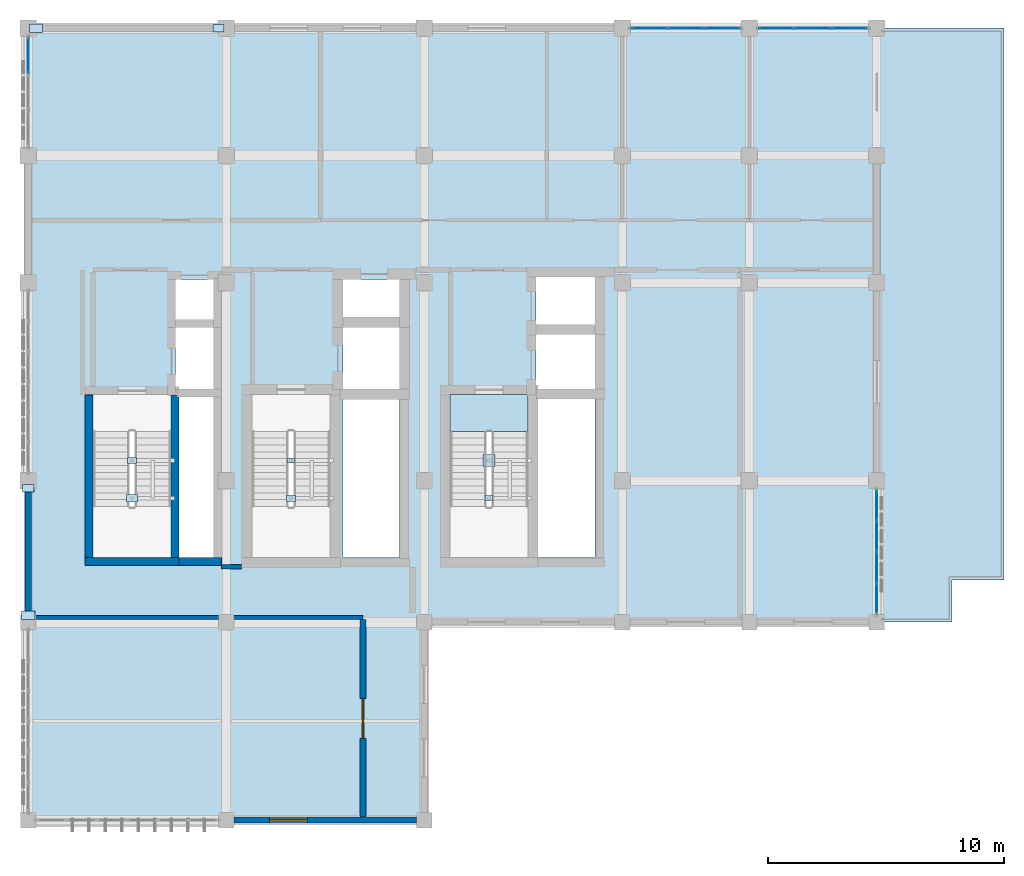
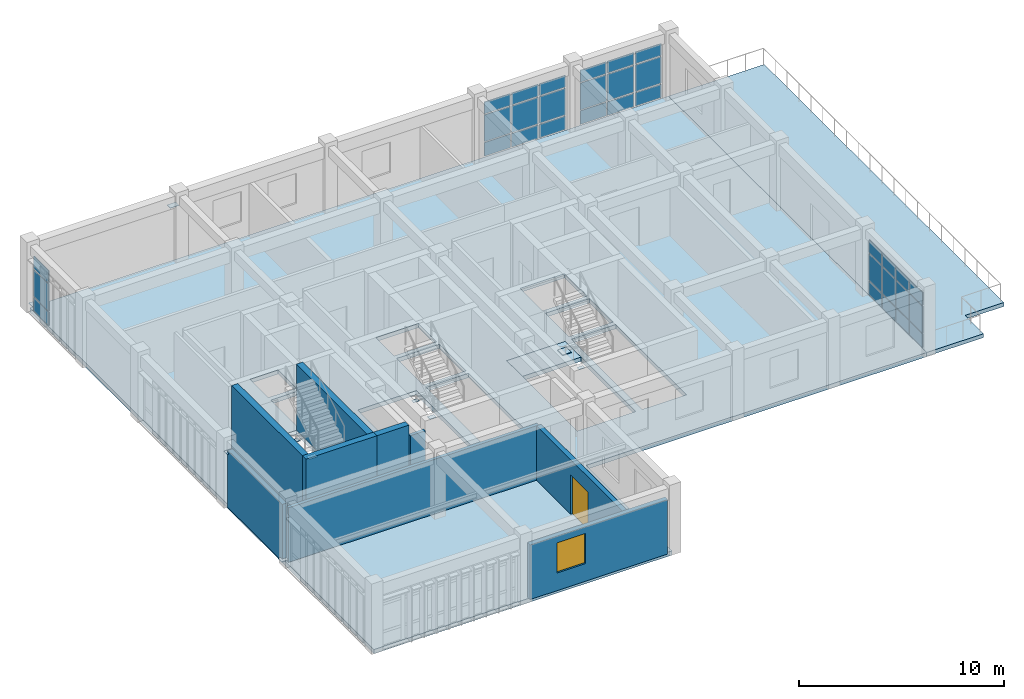
# One storey, part 18 of 23: 43 plates, 9 walls, 3 slabs, 1 door, 1 window, 2 openings, 4 elements without a shape of their own.
"""IFC4 building model written with IfcOpenShell, lengths in metres."""

from ifc_helpers import new_model, si_unit, direction, frame, frame_2d, origin, origin_2d, place, context, subcontext, project, spatial, polyline, rectangle, outline, extrude, material, layer, layer_set, type_object, element, fill, aggregate, save


model = new_model("IFC4")

# Units and contexts
model_context = context("Model", 3, precision=1e-05, world=origin(), true_north=direction((0.0, 1.0)))
body_context = subcontext(model_context, "Body", "Model", "MODEL_VIEW")
ifc_project = project(units=[si_unit("LENGTHUNIT", "METRE"), si_unit("AREAUNIT", "SQUARE_METRE"), si_unit("VOLUMEUNIT", "CUBIC_METRE"), si_unit("PLANEANGLEUNIT", "RADIAN"), si_unit("MASSUNIT", "GRAM", prefix="KILO")], contexts=[model_context])

# Site, building, storey
site_placement = place(None, origin())
site = spatial("IfcSite", under=ifc_project, at=site_placement, CompositionType="ELEMENT")
building_placement = place(site_placement, origin())
building = spatial("IfcBuilding", under=site, at=building_placement, Name="Krzemoval Escarpment Law Courts", CompositionType="ELEMENT")
storey_placement = place(building_placement, frame((0.0, 0.0, 33.60009765625)))
storey = spatial("IfcBuildingStorey", under=building, at=storey_placement, Name="L07", CompositionType="ELEMENT", Elevation=33.60009765625)

# Curtain wall, plates
ifc_material_1 = material(Name="Aluminium 6063-T6", Category="aluminium")
ifc_layer_1 = layer(ifc_material_1, 0.219970703125)
ifc_layer_set_1 = layer_set([ifc_layer_1], Name="Aluminium 6063-T6")
curtain_wall_type = type_object("IfcCurtainWallType", Name="CW-CHMB-4200", PredefinedType="USERDEFINED", material=ifc_layer_set_1)
curtain_wall_1_placement = place(storey_placement, origin())
curtain_wall_1 = element("IfcCurtainWall", 1, at=curtain_wall_1_placement, inside=storey, type_object=curtain_wall_type, Name="Unitised Curtain Wall FCW-L07-157", ObjectType="UNITISED_CURTAIN_WALL", PredefinedType="USERDEFINED")
ifc_material_2 = material(Name="Triple Glazing IGU", Category="glass")
ifc_layer_2 = layer(ifc_material_2, 0.0419921875)
ifc_layer_set_2 = layer_set([ifc_layer_2], Name="Triple Glazing IGU")
plate_type_1 = type_object("IfcPlateType", Name="CWP-GLZ-42", PredefinedType="CURTAIN_PANEL", material=ifc_layer_set_2)
plate_1_placement = place(storey_placement, frame((126.0, 117.650390625, 0.06494140625), z_axis=(0.0, 0.0, 1.0), x_axis=(0.0, 1.0, 0.0)))
plate_1 = element("IfcPlate", 2, at=plate_1_placement, type_object=plate_type_1, Name="FCW-L07-157 panel 3.1", PredefinedType="CURTAIN_PANEL", context=body_context, shape_type="SweptSolid", body=[
    extrude(rectangle(XDim=1.46923828125, YDim=0.0419921875, at=origin_2d()), origin(), (0.0, 0.0, 1.0), 0.802490234375),
])
plate_2_placement = place(storey_placement, frame((126.0, 117.650390625, 0.932373046875), z_axis=(0.0, 0.0, 1.0), x_axis=(0.0, 1.0, 0.0)))
plate_2 = element("IfcPlate", 3, at=plate_2_placement, type_object=plate_type_1, Name="FCW-L07-157 panel 3.2", PredefinedType="CURTAIN_PANEL", context=body_context, shape_type="SweptSolid", body=[
    extrude(rectangle(XDim=1.46923828125, YDim=0.0419921875, at=origin_2d()), origin(), (0.0, 0.0, 1.0), 1.5849609375),
])
plate_3_placement = place(storey_placement, frame((126.0, 117.650390625, 2.58251953125), z_axis=(0.0, 0.0, 1.0), x_axis=(0.0, 1.0, 0.0)))
plate_3 = element("IfcPlate", 4, at=plate_3_placement, type_object=plate_type_1, Name="FCW-L07-157 panel 3.3", PredefinedType="CURTAIN_PANEL", context=body_context, shape_type="SweptSolid", body=[
    extrude(rectangle(XDim=1.46923828125, YDim=0.0419921875, at=origin_2d()), origin(), (0.0, 0.0, 1.0), 0.75244140625),
])
aggregate(curtain_wall_1, [plate_1, plate_2, plate_3])

curtain_wall_2_placement = place(storey_placement, origin())
curtain_wall_2 = element("IfcCurtainWall", 5, at=curtain_wall_2_placement, inside=storey, type_object=curtain_wall_type, Name="Unitised Curtain Wall FCW-L07-158", ObjectType="UNITISED_CURTAIN_WALL", PredefinedType="USERDEFINED")
plate_4_placement = place(storey_placement, frame((152.349609375, 118.800048828125, 0.06494140625), z_axis=(0.0, 0.0, 1.0), x_axis=(1.0, 0.0, 0.0)))
plate_4 = element("IfcPlate", 6, at=plate_4_placement, type_object=plate_type_1, Name="FCW-L07-158 panel 1.1", PredefinedType="CURTAIN_PANEL", context=body_context, shape_type="SweptSolid", body=[
    extrude(rectangle(XDim=1.46923828125, YDim=0.0419921875, at=origin_2d()), origin(), (0.0, 0.0, 1.0), 0.802490234375),
])
plate_5_placement = place(storey_placement, frame((152.349609375, 118.800048828125, 0.932373046875), z_axis=(0.0, 0.0, 1.0), x_axis=(1.0, 0.0, 0.0)))
plate_5 = element("IfcPlate", 7, at=plate_5_placement, type_object=plate_type_1, Name="FCW-L07-158 panel 1.2", PredefinedType="CURTAIN_PANEL", context=body_context, shape_type="SweptSolid", body=[
    extrude(rectangle(XDim=1.46923828125, YDim=0.0419921875, at=origin_2d()), origin(), (0.0, 0.0, 1.0), 1.5849609375),
])
plate_6_placement = place(storey_placement, frame((152.349609375, 118.800048828125, 2.58251953125), z_axis=(0.0, 0.0, 1.0), x_axis=(1.0, 0.0, 0.0)))
plate_6 = element("IfcPlate", 8, at=plate_6_placement, type_object=plate_type_1, Name="FCW-L07-158 panel 1.3", PredefinedType="CURTAIN_PANEL", context=body_context, shape_type="SweptSolid", body=[
    extrude(rectangle(XDim=1.46923828125, YDim=0.0419921875, at=origin_2d()), origin(), (0.0, 0.0, 1.0), 0.702392578125),
])
plate_7_placement = place(storey_placement, frame((153.89990234375, 118.800048828125, 0.06494140625), z_axis=(0.0, 0.0, 1.0), x_axis=(1.0, 0.0, 0.0)))
plate_7 = element("IfcPlate", 9, at=plate_7_placement, type_object=plate_type_1, Name="FCW-L07-158 panel 2.1", PredefinedType="CURTAIN_PANEL", context=body_context, shape_type="SweptSolid", body=[
    extrude(rectangle(XDim=1.501708984375, YDim=0.0419921875, at=origin_2d()), origin(), (0.0, 0.0, 1.0), 0.802490234375),
])
plate_8_placement = place(storey_placement, frame((153.89990234375, 118.800048828125, 0.932373046875), z_axis=(0.0, 0.0, 1.0), x_axis=(1.0, 0.0, 0.0)))
plate_8 = element("IfcPlate", 10, at=plate_8_placement, type_object=plate_type_1, Name="FCW-L07-158 panel 2.2", PredefinedType="CURTAIN_PANEL", context=body_context, shape_type="SweptSolid", body=[
    extrude(rectangle(XDim=1.501708984375, YDim=0.0419921875, at=origin_2d()), origin(), (0.0, 0.0, 1.0), 1.5849609375),
])
plate_9_placement = place(storey_placement, frame((153.89990234375, 118.800048828125, 2.58251953125), z_axis=(0.0, 0.0, 1.0), x_axis=(1.0, 0.0, 0.0)))
plate_9 = element("IfcPlate", 11, at=plate_9_placement, type_object=plate_type_1, Name="FCW-L07-158 panel 2.3", PredefinedType="CURTAIN_PANEL", context=body_context, shape_type="SweptSolid", body=[
    extrude(rectangle(XDim=1.501708984375, YDim=0.0419921875, at=origin_2d()), origin(), (0.0, 0.0, 1.0), 0.702392578125),
])
plate_10_placement = place(storey_placement, frame((155.450439453125, 118.800048828125, 0.06494140625), z_axis=(0.0, 0.0, 1.0), x_axis=(1.0, 0.0, 0.0)))
plate_10 = element("IfcPlate", 12, at=plate_10_placement, type_object=plate_type_1, Name="FCW-L07-158 panel 3.1", PredefinedType="CURTAIN_PANEL", context=body_context, shape_type="SweptSolid", body=[
    extrude(rectangle(XDim=1.46923828125, YDim=0.0419921875, at=origin_2d()), origin(), (0.0, 0.0, 1.0), 0.802490234375),
])
plate_11_placement = place(storey_placement, frame((155.450439453125, 118.800048828125, 0.932373046875), z_axis=(0.0, 0.0, 1.0), x_axis=(1.0, 0.0, 0.0)))
plate_11 = element("IfcPlate", 13, at=plate_11_placement, type_object=plate_type_1, Name="FCW-L07-158 panel 3.2", PredefinedType="CURTAIN_PANEL", context=body_context, shape_type="SweptSolid", body=[
    extrude(rectangle(XDim=1.46923828125, YDim=0.0419921875, at=origin_2d()), origin(), (0.0, 0.0, 1.0), 1.5849609375),
])
plate_12_placement = place(storey_placement, frame((155.450439453125, 118.800048828125, 2.58251953125), z_axis=(0.0, 0.0, 1.0), x_axis=(1.0, 0.0, 0.0)))
plate_12 = element("IfcPlate", 14, at=plate_12_placement, type_object=plate_type_1, Name="FCW-L07-158 panel 3.3", PredefinedType="CURTAIN_PANEL", context=body_context, shape_type="SweptSolid", body=[
    extrude(rectangle(XDim=1.46923828125, YDim=0.0419921875, at=origin_2d()), origin(), (0.0, 0.0, 1.0), 0.702392578125),
])
aggregate(curtain_wall_2, [plate_4, plate_5, plate_6, plate_7, plate_8, plate_9, plate_10, plate_11, plate_12])

curtain_wall_3_placement = place(storey_placement, origin())
curtain_wall_3 = element("IfcCurtainWall", 15, at=curtain_wall_3_placement, inside=storey, type_object=curtain_wall_type, Name="Unitised Curtain Wall FCW-L07-159", ObjectType="UNITISED_CURTAIN_WALL", PredefinedType="USERDEFINED")
plate_13_placement = place(storey_placement, frame((157.74951171875, 118.800048828125, 0.06494140625), z_axis=(0.0, 0.0, 1.0), x_axis=(1.0, 0.0, 0.0)))
plate_13 = element("IfcPlate", 16, at=plate_13_placement, type_object=plate_type_1, Name="FCW-L07-159 panel 1.1", PredefinedType="CURTAIN_PANEL", context=body_context, shape_type="SweptSolid", body=[
    extrude(rectangle(XDim=1.46923828125, YDim=0.0419921875, at=origin_2d()), origin(), (0.0, 0.0, 1.0), 0.802490234375),
])
plate_14_placement = place(storey_placement, frame((157.74951171875, 118.800048828125, 0.932373046875), z_axis=(0.0, 0.0, 1.0), x_axis=(1.0, 0.0, 0.0)))
plate_14 = element("IfcPlate", 17, at=plate_14_placement, type_object=plate_type_1, Name="FCW-L07-159 panel 1.2", PredefinedType="CURTAIN_PANEL", context=body_context, shape_type="SweptSolid", body=[
    extrude(rectangle(XDim=1.46923828125, YDim=0.0419921875, at=origin_2d()), origin(), (0.0, 0.0, 1.0), 1.5849609375),
])
plate_15_placement = place(storey_placement, frame((157.74951171875, 118.800048828125, 2.58251953125), z_axis=(0.0, 0.0, 1.0), x_axis=(1.0, 0.0, 0.0)))
plate_15 = element("IfcPlate", 18, at=plate_15_placement, type_object=plate_type_1, Name="FCW-L07-159 panel 1.3", PredefinedType="CURTAIN_PANEL", context=body_context, shape_type="SweptSolid", body=[
    extrude(rectangle(XDim=1.46923828125, YDim=0.0419921875, at=origin_2d()), origin(), (0.0, 0.0, 1.0), 0.702392578125),
])
plate_16_placement = place(storey_placement, frame((159.300048828125, 118.800048828125, 0.06494140625), z_axis=(0.0, 0.0, 1.0), x_axis=(1.0, 0.0, 0.0)))
plate_16 = element("IfcPlate", 19, at=plate_16_placement, type_object=plate_type_1, Name="FCW-L07-159 panel 2.1", PredefinedType="CURTAIN_PANEL", context=body_context, shape_type="SweptSolid", body=[
    extrude(rectangle(XDim=1.501708984375, YDim=0.0419921875, at=origin_2d()), origin(), (0.0, 0.0, 1.0), 0.802490234375),
])
plate_17_placement = place(storey_placement, frame((159.300048828125, 118.800048828125, 0.932373046875), z_axis=(0.0, 0.0, 1.0), x_axis=(1.0, 0.0, 0.0)))
plate_17 = element("IfcPlate", 20, at=plate_17_placement, type_object=plate_type_1, Name="FCW-L07-159 panel 2.2", PredefinedType="CURTAIN_PANEL", context=body_context, shape_type="SweptSolid", body=[
    extrude(rectangle(XDim=1.501708984375, YDim=0.0419921875, at=origin_2d()), origin(), (0.0, 0.0, 1.0), 1.5849609375),
])
plate_18_placement = place(storey_placement, frame((159.300048828125, 118.800048828125, 2.58251953125), z_axis=(0.0, 0.0, 1.0), x_axis=(1.0, 0.0, 0.0)))
plate_18 = element("IfcPlate", 21, at=plate_18_placement, type_object=plate_type_1, Name="FCW-L07-159 panel 2.3", PredefinedType="CURTAIN_PANEL", context=body_context, shape_type="SweptSolid", body=[
    extrude(rectangle(XDim=1.501708984375, YDim=0.0419921875, at=origin_2d()), origin(), (0.0, 0.0, 1.0), 0.702392578125),
])
plate_19_placement = place(storey_placement, frame((160.850341796875, 118.800048828125, 0.06494140625), z_axis=(0.0, 0.0, 1.0), x_axis=(1.0, 0.0, 0.0)))
plate_19 = element("IfcPlate", 22, at=plate_19_placement, type_object=plate_type_1, Name="FCW-L07-159 panel 3.1", PredefinedType="CURTAIN_PANEL", context=body_context, shape_type="SweptSolid", body=[
    extrude(rectangle(XDim=1.46923828125, YDim=0.0419921875, at=origin_2d()), origin(), (0.0, 0.0, 1.0), 0.802490234375),
])
plate_20_placement = place(storey_placement, frame((160.850341796875, 118.800048828125, 0.932373046875), z_axis=(0.0, 0.0, 1.0), x_axis=(1.0, 0.0, 0.0)))
plate_20 = element("IfcPlate", 23, at=plate_20_placement, type_object=plate_type_1, Name="FCW-L07-159 panel 3.2", PredefinedType="CURTAIN_PANEL", context=body_context, shape_type="SweptSolid", body=[
    extrude(rectangle(XDim=1.46923828125, YDim=0.0419921875, at=origin_2d()), origin(), (0.0, 0.0, 1.0), 1.5849609375),
])
plate_21_placement = place(storey_placement, frame((160.850341796875, 118.800048828125, 2.58251953125), z_axis=(0.0, 0.0, 1.0), x_axis=(1.0, 0.0, 0.0)))
plate_21 = element("IfcPlate", 24, at=plate_21_placement, type_object=plate_type_1, Name="FCW-L07-159 panel 3.3", PredefinedType="CURTAIN_PANEL", context=body_context, shape_type="SweptSolid", body=[
    extrude(rectangle(XDim=1.46923828125, YDim=0.0419921875, at=origin_2d()), origin(), (0.0, 0.0, 1.0), 0.702392578125),
])
aggregate(curtain_wall_3, [plate_13, plate_14, plate_15, plate_16, plate_17, plate_18, plate_19, plate_20, plate_21])

curtain_wall_4_placement = place(storey_placement, origin())
curtain_wall_4 = element("IfcCurtainWall", 25, at=curtain_wall_4_placement, inside=storey, type_object=curtain_wall_type, Name="Unitised Curtain Wall FCW-L07-160", ObjectType="UNITISED_CURTAIN_WALL", PredefinedType="USERDEFINED")
plate_22_placement = place(storey_placement, frame((162.0, 98.568115234375, 0.06494140625), z_axis=(0.0, 0.0, 1.0), x_axis=(0.0, -1.0, 0.0)))
plate_22 = element("IfcPlate", 26, at=plate_22_placement, type_object=plate_type_1, Name="FCW-L07-160 panel 1.1", PredefinedType="CURTAIN_PANEL", context=body_context, shape_type="SweptSolid", body=[
    extrude(rectangle(XDim=1.233642578125, YDim=0.0419921875, at=origin_2d()), origin(), (0.0, 0.0, 1.0), 0.802490234375),
])
plate_23_placement = place(storey_placement, frame((162.0, 98.568115234375, 0.932373046875), z_axis=(0.0, 0.0, 1.0), x_axis=(0.0, -1.0, 0.0)))
plate_23 = element("IfcPlate", 27, at=plate_23_placement, type_object=plate_type_1, Name="FCW-L07-160 panel 1.2", PredefinedType="CURTAIN_PANEL", context=body_context, shape_type="SweptSolid", body=[
    extrude(rectangle(XDim=1.233642578125, YDim=0.0419921875, at=origin_2d()), origin(), (0.0, 0.0, 1.0), 1.5849609375),
])
plate_24_placement = place(storey_placement, frame((162.0, 98.568115234375, 2.58251953125), z_axis=(0.0, 0.0, 1.0), x_axis=(0.0, -1.0, 0.0)))
plate_24 = element("IfcPlate", 28, at=plate_24_placement, type_object=plate_type_1, Name="FCW-L07-160 panel 1.3", PredefinedType="CURTAIN_PANEL", context=body_context, shape_type="SweptSolid", body=[
    extrude(rectangle(XDim=1.233642578125, YDim=0.0419921875, at=origin_2d()), origin(), (0.0, 0.0, 1.0), 0.75244140625),
])
plate_25_placement = place(storey_placement, frame((162.0, 97.253173828125, 0.06494140625), z_axis=(0.0, 0.0, 1.0), x_axis=(0.0, -1.0, 0.0)))
plate_25 = element("IfcPlate", 29, at=plate_25_placement, type_object=plate_type_1, Name="FCW-L07-160 panel 2.1", PredefinedType="CURTAIN_PANEL", context=body_context, shape_type="SweptSolid", body=[
    extrude(rectangle(XDim=1.266357421875, YDim=0.0419921875, at=origin_2d()), origin(), (0.0, 0.0, 1.0), 0.802490234375),
])
plate_26_placement = place(storey_placement, frame((162.0, 97.253173828125, 0.932373046875), z_axis=(0.0, 0.0, 1.0), x_axis=(0.0, -1.0, 0.0)))
plate_26 = element("IfcPlate", 30, at=plate_26_placement, type_object=plate_type_1, Name="FCW-L07-160 panel 2.2", PredefinedType="CURTAIN_PANEL", context=body_context, shape_type="SweptSolid", body=[
    extrude(rectangle(XDim=1.266357421875, YDim=0.0419921875, at=origin_2d()), origin(), (0.0, 0.0, 1.0), 1.5849609375),
])
plate_27_placement = place(storey_placement, frame((162.0, 97.253173828125, 2.58251953125), z_axis=(0.0, 0.0, 1.0), x_axis=(0.0, -1.0, 0.0)))
plate_27 = element("IfcPlate", 31, at=plate_27_placement, type_object=plate_type_1, Name="FCW-L07-160 panel 2.3", PredefinedType="CURTAIN_PANEL", context=body_context, shape_type="SweptSolid", body=[
    extrude(rectangle(XDim=1.266357421875, YDim=0.0419921875, at=origin_2d()), origin(), (0.0, 0.0, 1.0), 0.75244140625),
])
plate_28_placement = place(storey_placement, frame((162.0, 95.921875, 0.06494140625), z_axis=(0.0, 0.0, 1.0), x_axis=(0.0, -1.0, 0.0)))
plate_28 = element("IfcPlate", 32, at=plate_28_placement, type_object=plate_type_1, Name="FCW-L07-160 panel 3.1", PredefinedType="CURTAIN_PANEL", context=body_context, shape_type="SweptSolid", body=[
    extrude(rectangle(XDim=1.266357421875, YDim=0.0419921875, at=origin_2d()), origin(), (0.0, 0.0, 1.0), 0.802490234375),
])
plate_29_placement = place(storey_placement, frame((162.0, 95.921875, 0.932373046875), z_axis=(0.0, 0.0, 1.0), x_axis=(0.0, -1.0, 0.0)))
plate_29 = element("IfcPlate", 33, at=plate_29_placement, type_object=plate_type_1, Name="FCW-L07-160 panel 3.2", PredefinedType="CURTAIN_PANEL", context=body_context, shape_type="SweptSolid", body=[
    extrude(rectangle(XDim=1.266357421875, YDim=0.0419921875, at=origin_2d()), origin(), (0.0, 0.0, 1.0), 1.5849609375),
])
plate_30_placement = place(storey_placement, frame((162.0, 95.921875, 2.58251953125), z_axis=(0.0, 0.0, 1.0), x_axis=(0.0, -1.0, 0.0)))
plate_30 = element("IfcPlate", 34, at=plate_30_placement, type_object=plate_type_1, Name="FCW-L07-160 panel 3.3", PredefinedType="CURTAIN_PANEL", context=body_context, shape_type="SweptSolid", body=[
    extrude(rectangle(XDim=1.266357421875, YDim=0.0419921875, at=origin_2d()), origin(), (0.0, 0.0, 1.0), 0.75244140625),
])
plate_31_placement = place(storey_placement, frame((162.0, 94.60693359375, 0.06494140625), z_axis=(0.0, 0.0, 1.0), x_axis=(0.0, -1.0, 0.0)))
plate_31 = element("IfcPlate", 35, at=plate_31_placement, type_object=plate_type_1, Name="FCW-L07-160 panel 4.1", PredefinedType="CURTAIN_PANEL", context=body_context, shape_type="SweptSolid", body=[
    extrude(rectangle(XDim=1.233642578125, YDim=0.0419921875, at=origin_2d()), origin(), (0.0, 0.0, 1.0), 0.802490234375),
])
plate_32_placement = place(storey_placement, frame((162.0, 94.60693359375, 0.932373046875), z_axis=(0.0, 0.0, 1.0), x_axis=(0.0, -1.0, 0.0)))
plate_32 = element("IfcPlate", 36, at=plate_32_placement, type_object=plate_type_1, Name="FCW-L07-160 panel 4.2", PredefinedType="CURTAIN_PANEL", context=body_context, shape_type="SweptSolid", body=[
    extrude(rectangle(XDim=1.233642578125, YDim=0.0419921875, at=origin_2d()), origin(), (0.0, 0.0, 1.0), 1.5849609375),
])
plate_33_placement = place(storey_placement, frame((162.0, 94.60693359375, 2.58251953125), z_axis=(0.0, 0.0, 1.0), x_axis=(0.0, -1.0, 0.0)))
plate_33 = element("IfcPlate", 37, at=plate_33_placement, type_object=plate_type_1, Name="FCW-L07-160 panel 4.3", PredefinedType="CURTAIN_PANEL", context=body_context, shape_type="SweptSolid", body=[
    extrude(rectangle(XDim=1.233642578125, YDim=0.0419921875, at=origin_2d()), origin(), (0.0, 0.0, 1.0), 0.75244140625),
])
aggregate(curtain_wall_4, [plate_22, plate_23, plate_24, plate_25, plate_26, plate_27, plate_28, plate_29, plate_30, plate_31, plate_32, plate_33])

# Plates
ifc_material_3 = material(Name="Steel S355", Category="steel")
ifc_layer_3 = layer(ifc_material_3, 0.0400390625)
ifc_layer_set_3 = layer_set([ifc_layer_3], Name="Steel S355")
plate_type_2 = type_object("IfcPlateType", Name="PLT-FLG-40", PredefinedType="USERDEFINED", material=ifc_layer_set_3)
plate_34_placement = place(storey_placement, frame((145.550048828125, 100.4599609375, 1.64990234375), z_axis=(0.0, 0.0, 1.0), x_axis=(1.0, 0.0, 0.0)))
element("IfcPlate", 38, at=plate_34_placement, inside=storey, type_object=plate_type_2, Name="Gusset and End-Cap Plate ECP-0357", ObjectType="FLANGE_PLATE", PredefinedType="USERDEFINED", context=body_context, shape_type="SweptSolid", body=[
    extrude(rectangle(XDim=0.5, YDim=0.5, at=origin_2d()), origin(), (0.0, 0.0, 1.0), 0.0400390625),
])
ifc_material_4 = material(Name="Steel S355", Category="steel")
ifc_layer_4 = layer(ifc_material_4, 0.011962890625)
ifc_layer_set_4 = layer_set([ifc_layer_4], Name="Steel S355")
plate_type_3 = type_object("IfcPlateType", Name="PLT-GUS-12", PredefinedType="USERDEFINED", material=ifc_layer_set_4)
for number, where, z_axis, x_axis, name in (
    (39, (137.14990234375, 100.4599609375, 1.6640625), (0.0, 0.0, 1.0), (1.0, 0.0, 0.0), "Gusset and End-Cap Plate ECP-0335"),
    (40, (145.550048828125, 98.860107421875, 1.6640625), (0.0, 0.0, 1.0), (1.0, 0.0, 0.0), "Gusset and End-Cap Plate ECP-0356"),
):
    element("IfcPlate", number, at=place(storey_placement, frame(where, z_axis=z_axis, x_axis=x_axis)), inside=storey, type_object=plate_type_3, Name=name, ObjectType="GUSSET_PLATE", PredefinedType="USERDEFINED", context=body_context, shape_type="SweptSolid", body=[
        extrude(rectangle(XDim=0.340087890625, YDim=0.219970703125, at=origin_2d()), origin(), (0.0, 0.0, 1.0), 0.011962890625),
    ])
ifc_material_5 = material(Name="Steel S355", Category="steel")
ifc_layer_5 = layer(ifc_material_5, 0.01611328125)
ifc_layer_set_5 = layer_set([ifc_layer_5], Name="Steel S355")
plate_type_4 = type_object("IfcPlateType", Name="PLT-GUS-16", PredefinedType="USERDEFINED", material=ifc_layer_set_5)
for number, where, z_axis, x_axis, name in (
    (41, (130.39990234375, 100.4599609375, 1.661865234375), (0.0, 0.0, 1.0), (1.0, 0.0, 0.0), "Gusset and End-Cap Plate ECP-0313"),
    (42, (137.14990234375, 98.860107421875, 1.661865234375), (0.0, 0.0, 1.0), (1.0, 0.0, 0.0), "Gusset and End-Cap Plate ECP-0334"),
):
    element("IfcPlate", number, at=place(storey_placement, frame(where, z_axis=z_axis, x_axis=x_axis)), inside=storey, type_object=plate_type_4, Name=name, ObjectType="GUSSET_PLATE", PredefinedType="USERDEFINED", context=body_context, shape_type="SweptSolid", body=[
        extrude(rectangle(XDim=0.3798828125, YDim=0.260009765625, at=origin_2d()), origin(), (0.0, 0.0, 1.0), 0.01611328125),
    ])
ifc_material_6 = material(Name="Steel S355", Category="steel")
ifc_layer_6 = layer(ifc_material_6, 0.02001953125)
ifc_layer_set_6 = layer_set([ifc_layer_6], Name="Steel S355")
plate_type_5 = type_object("IfcPlateType", Name="PLT-GUS-20", PredefinedType="USERDEFINED", material=ifc_layer_set_6)
for number, where, z_axis, x_axis, name in (
    (43, (126.0, 99.27490234375, 3.260009765625), (0.0, 0.0, 1.0), (1.0, 0.0, 0.0), "Gusset and End-Cap Plate ECP-0277"),
    (44, (134.074951171875, 118.800048828125, 3.260009765625), (0.0, 0.0, 1.0), (1.0, 0.0, 0.0), "Gusset and End-Cap Plate ECP-0287"),
    (45, (130.39990234375, 98.860107421875, 1.659912109375), (0.0, 0.0, 1.0), (1.0, 0.0, 0.0), "Gusset and End-Cap Plate ECP-0312"),
):
    element("IfcPlate", number, at=place(storey_placement, frame(where, z_axis=z_axis, x_axis=x_axis)), inside=storey, type_object=plate_type_5, Name=name, ObjectType="GUSSET_PLATE", PredefinedType="USERDEFINED", context=body_context, shape_type="SweptSolid", body=[
        extrude(rectangle(XDim=0.47998046875, YDim=0.320068359375, at=origin_2d()), origin(), (0.0, 0.0, 1.0), 0.02001953125),
    ])
ifc_material_7 = material(Name="Steel S355", Category="steel")
ifc_layer_7 = layer(ifc_material_7, 0.030029296875)
ifc_layer_set_7 = layer_set([ifc_layer_7], Name="Steel S355")
plate_type_6 = type_object("IfcPlateType", Name="PLT-GUS-30", PredefinedType="USERDEFINED", material=ifc_layer_set_7)
for number, where, z_axis, x_axis, name in (
    (46, (126.0, 93.89990234375, 0.125), (0.0, 0.0, 1.0), (1.0, 0.0, 0.0), "Gusset and End-Cap Plate ECP-0276"),
    (47, (126.324951171875, 118.800048828125, 0.125), (0.0, 0.0, 1.0), (1.0, 0.0, 0.0), "Gusset and End-Cap Plate ECP-0286"),
):
    element("IfcPlate", number, at=place(storey_placement, frame(where, z_axis=z_axis, x_axis=x_axis)), inside=storey, type_object=plate_type_6, Name=name, ObjectType="GUSSET_PLATE", PredefinedType="USERDEFINED", context=body_context, shape_type="SweptSolid", body=[
        extrude(rectangle(XDim=0.56005859375, YDim=0.360107421875, at=origin_2d()), origin(), (0.0, 0.0, 1.0), 0.030029296875),
    ])

# Slabs
ifc_material_8 = material(Name="Concrete C40/50", Category="concrete")
ifc_layer_8 = layer(ifc_material_8, 0.25)
ifc_layer_set_8 = layer_set([ifc_layer_8], Name="Concrete C40/50")
slab_type_1 = type_object("IfcSlabType", Name="SL-FLR-250", PredefinedType="FLOOR", material=ifc_layer_set_8)
slab_1_placement = place(storey_placement, frame((0.0, 0.0, -0.25)))
element("IfcSlab", 48, at=slab_1_placement, inside=storey, type_object=slab_type_1, Name="Floor Slab SL-L07-V5-047", PredefinedType="FLOOR", context=body_context, shape_type="SweptSolid", body=[
    extrude(outline(polyline([(142.800048828125, 93.60009765625), (142.800048828125, 85.199951171875), (126.0, 85.199951171875), (126.0, 118.800048828125), (162.0, 118.800048828125), (162.0, 93.60009765625), (142.800048828125, 93.60009765625)]), holes=[polyline([(133.85009765625, 103.5), (133.85009765625, 106.10009765625), (132.25, 106.10009765625), (132.25, 103.5), (133.85009765625, 103.5)]), polyline([(132.25, 106.35009765625), (133.85009765625, 106.35009765625), (133.85009765625, 108.14990234375), (132.25, 108.14990234375), (132.25, 106.35009765625)]), polyline([(132.25, 103.25), (132.25, 96.35009765625), (133.85009765625, 96.35009765625), (133.85009765625, 103.25), (132.25, 103.25)]), polyline([(141.75, 106.10009765625), (139.35009765625, 106.10009765625), (139.35009765625, 103.5), (141.75, 103.5), (141.75, 106.10009765625)]), polyline([(141.75, 106.35009765625), (141.75, 108.14990234375), (139.35009765625, 108.14990234375), (139.35009765625, 106.35009765625), (141.75, 106.35009765625)]), polyline([(139.35009765625, 96.35009765625), (141.75, 96.35009765625), (141.75, 103.25), (139.35009765625, 103.25), (139.35009765625, 96.35009765625)]), polyline([(147.550048828125, 105.800048828125), (147.550048828125, 103.5), (150.050048828125, 103.5), (150.050048828125, 105.800048828125), (147.550048828125, 105.800048828125)]), polyline([(150.050048828125, 108.25), (147.550048828125, 108.25), (147.550048828125, 106.050048828125), (150.050048828125, 106.050048828125), (150.050048828125, 108.25)]), polyline([(150.050048828125, 96.35009765625), (150.050048828125, 103.25), (147.550048828125, 103.25), (147.550048828125, 96.35009765625), (150.050048828125, 96.35009765625)]), polyline([(128.75, 96.35009765625), (132.050048828125, 96.35009765625), (132.050048828125, 103.25), (128.75, 103.25), (128.75, 96.35009765625)]), polyline([(135.5, 103.25), (135.5, 96.35009765625), (138.800048828125, 96.35009765625), (138.800048828125, 103.25), (135.5, 103.25)]), polyline([(147.199951171875, 103.25), (143.89990234375, 103.25), (143.89990234375, 96.35009765625), (147.199951171875, 96.35009765625), (147.199951171875, 103.25)])]), origin(), (0.0, 0.0, 1.0), 0.25),
])
slab_2_placement = place(storey_placement, frame((0.0, 0.0, -0.25)))
element("IfcSlab", 49, at=slab_2_placement, inside=storey, type_object=slab_type_1, Name="Core Floor Landing Slab SL-ST3-L07-FL", PredefinedType="FLOOR", context=body_context, shape_type="SweptSolid", body=[
    extrude(outline(polyline([(143.89990234375, 103.25), (143.89990234375, 101.699951171875), (147.199951171875, 101.699951171875), (147.199951171875, 103.25), (143.89990234375, 103.25)])), origin(), (0.0, 0.0, 1.0), 0.25),
])
ifc_material_9 = material(Name="Concrete C40/50", Category="concrete")
ifc_layer_9 = layer(ifc_material_9, 0.22998046875)
ifc_layer_set_9 = layer_set([ifc_layer_9], Name="Concrete C40/50")
slab_type_2 = type_object("IfcSlabType", Name="SL-TER-320", PredefinedType="ROOF", material=ifc_layer_set_9)
slab_3_placement = place(storey_placement, frame((0.0, 0.0, -0.22998046875)))
element("IfcSlab", 50, at=slab_3_placement, inside=storey, type_object=slab_type_2, Name="Planted Roof Terrace Step 4", PredefinedType="ROOF", context=body_context, shape_type="SweptSolid", body=[
    extrude(outline(polyline([(162.0, 118.800048828125), (167.39990234375, 118.800048828125), (167.39990234375, 95.39990234375), (165.199951171875, 95.39990234375), (165.199951171875, 93.60009765625), (162.0, 93.60009765625), (162.0, 118.800048828125)])), origin(), (0.0, 0.0, 1.0), 0.22998046875),
])

# Wall, opening, window
ifc_material_10 = material(Name="Precast concrete C40/50", Category="concrete")
ifc_layer_10 = layer(ifc_material_10, 0.260009765625)
ifc_layer_set_10 = layer_set([ifc_layer_10], Name="Precast concrete C40/50")
wall_type_1 = type_object("IfcWallType", Name="WL-EXT-260", PredefinedType="SOLIDWALL", material=ifc_layer_set_10)
wall_1_placement = place(storey_placement, frame((142.47509765625, 85.199951171875, 0.0), z_axis=(0.0, 0.0, 1.0), x_axis=(-1.0, 0.0, 0.0)))
wall_1 = element("IfcWall", 51, at=wall_1_placement, inside=storey, type_object=wall_type_1, Name="Exterior Wall EW-L07-0454", PredefinedType="SOLIDWALL", context=body_context, shape_type="SweptSolid", body=[
    extrude(rectangle(XDim=7.75, YDim=0.260009765625, at=frame_2d((3.875, 0.0))), origin(), (0.0, 0.0, 1.0), 3.25),
])
opening_1_placement = place(wall_1_placement, frame((4.633056640625, 0.0, 1.050048828125)))
opening_1 = element("IfcOpeningElement", 52, at=opening_1_placement, cuts=wall_1, Name="Opening WN-L07-0535", PredefinedType="OPENING", context=body_context, shape_type="SweptSolid", body=[
    extrude(rectangle(XDim=1.60009765625, YDim=1.800048828125, at=frame_2d((0.800048828125, 0.89990234375))), frame((0.0, 0.145, 0.0), z_axis=(0.0, -1.0, 0.0), x_axis=(1.0, 0.0, 0.0)), (0.0, 0.0, 1.0), 0.29001),
])
ifc_material_11 = material(Name="Thermally Broken Aluminium Frame with Triple Low-E Acoustic Glass", Category="aluminium")
window_type = type_object("IfcWindowType", Name="WN-1600x1800", PartitioningType="SINGLE_PANEL", PredefinedType="WINDOW", material=ifc_material_11)
window_placement = place(opening_1_placement, origin())
window = element("IfcWindow", 53, at=window_placement, inside=storey, type_object=window_type, Name="Facade Window WN-L07-0535", OverallHeight=1.800048828125, OverallWidth=1.60009765625, PartitioningType="SINGLE_PANEL", PredefinedType="WINDOW", context=body_context, shape_type="SweptSolid", body=[
    extrude(rectangle(XDim=1.60009765625, YDim=1.800048828125, at=frame_2d((0.800048828125, 0.89990234375))), frame((0.0, 0.030029296875, 0.0), z_axis=(0.0, -1.0, 0.0), x_axis=(1.0, 0.0, 0.0)), (0.0, 0.0, 1.0), 0.06005859375),
])
fill(opening_1, window)

# Walls
wall_2_placement = place(storey_placement, frame((126.0, 93.925048828125, 0.0), z_axis=(0.0, 0.0, 1.0), x_axis=(0.0, 1.0, 0.0)))
element("IfcWall", 54, at=wall_2_placement, inside=storey, type_object=wall_type_1, Name="Exterior Wall EW-L07-0455", PredefinedType="SOLIDWALL", context=body_context, shape_type="SweptSolid", body=[
    extrude(rectangle(XDim=5.324951171875, YDim=0.260009765625, at=frame_2d((2.66259765625, 0.0))), origin(), (0.0, 0.0, 1.0), 3.39990234375),
])
ifc_material_12 = material(Name="Judicial Chambers Acoustic Partition", Category="gypsum")
ifc_layer_11 = layer(ifc_material_12, 0.179931640625)
ifc_layer_set_11 = layer_set([ifc_layer_11], Name="Judicial Chambers Acoustic Partition")
wall_type_2 = type_object("IfcWallType", Name="WL-PRT-180", PredefinedType="PARTITIONING", material=ifc_layer_set_11)
wall_3_placement = place(storey_placement, frame((126.089111328125, 93.800048828125, 0.0), z_axis=(0.0, 0.0, 1.0), x_axis=(1.0, 0.0, 0.0)))
element("IfcWall", 55, at=wall_3_placement, inside=storey, type_object=wall_type_2, Name="Interior Partition PW-L07-0693", PredefinedType="PARTITIONING", context=body_context, shape_type="SweptSolid", body=[
    extrude(rectangle(XDim=14.11083984375, YDim=0.179931640625, at=frame_2d((7.055419921875, 0.0))), origin(), (0.0, 0.0, 1.0), 3.25),
])
wall_4_placement = place(storey_placement, frame((134.199951171875, 95.949951171875, 0.0), z_axis=(0.0, 0.0, 1.0), x_axis=(1.0, 0.0, 0.0)))
element("IfcWall", 56, at=wall_4_placement, inside=storey, type_object=wall_type_2, Name="Interior Partition PW-L07-0694", PredefinedType="PARTITIONING", context=body_context, shape_type="SweptSolid", body=[
    extrude(rectangle(XDim=0.85009765625, YDim=0.179931640625, at=frame_2d((0.425048828125, 0.0))), origin(), (0.0, 0.0, 1.0), 3.39990234375),
])

# Wall, opening, door
ifc_material_13 = material(Name="Acoustic Double-Stud Gypsum and Mineral Wool Wall", Category="gypsum")
ifc_layer_12 = layer(ifc_material_13, 0.260009765625)
ifc_layer_set_12 = layer_set([ifc_layer_12], Name="Acoustic Double-Stud Gypsum and Mineral Wool Wall")
wall_type_3 = type_object("IfcWallType", Name="WL-PRT-260", PredefinedType="PARTITIONING", material=ifc_layer_set_12)
wall_5_placement = place(storey_placement, frame((140.199951171875, 85.33203125, 0.0), z_axis=(0.0, 0.0, 1.0), x_axis=(0.0, 1.0, 0.0)))
wall_5 = element("IfcWall", 57, at=wall_5_placement, inside=storey, type_object=wall_type_3, Name="Interior Partition PW-L07-0711", PredefinedType="PARTITIONING", context=body_context, shape_type="SweptSolid", body=[
    extrude(rectangle(XDim=8.3759765625, YDim=0.260009765625, at=frame_2d((4.18798828125, 0.0))), origin(), (0.0, 0.0, 1.0), 3.25),
])
opening_2_placement = place(wall_5_placement, frame((3.337890625, 0.0, 0.0)))
opening_2 = element("IfcOpeningElement", 58, at=opening_2_placement, cuts=wall_5, Name="Opening D-L07-0243", PredefinedType="OPENING", context=body_context, shape_type="SweptSolid", body=[
    extrude(rectangle(XDim=1.699951171875, YDim=2.35009765625, at=frame_2d((0.85009765625, 1.175048828125))), frame((0.0, 0.145, 0.0), z_axis=(0.0, -1.0, 0.0), x_axis=(1.0, 0.0, 0.0)), (0.0, 0.0, 1.0), 0.29001),
])
ifc_material_14 = material(Name="Engineered Solid-Core Oak Acoustic Timber", Category="wood")
door_type = type_object("IfcDoorType", Name="DR-INT-1700x2350", OperationType="SINGLE_SWING_LEFT", PredefinedType="DOOR", material=ifc_material_14)
door_placement = place(opening_2_placement, origin())
door = element("IfcDoor", 59, at=door_placement, inside=storey, type_object=door_type, Name="Room Door D-L07-0243", OperationType="SINGLE_SWING_LEFT", OverallHeight=2.35009765625, OverallWidth=1.699951171875, PredefinedType="DOOR", context=body_context, shape_type="SweptSolid", body=[
    extrude(rectangle(XDim=1.699951171875, YDim=2.35009765625, at=frame_2d((0.85009765625, 1.175048828125))), frame((0.0, 0.02490234375, 0.0), z_axis=(0.0, -1.0, 0.0), x_axis=(1.0, 0.0, 0.0)), (0.0, 0.0, 1.0), 0.050048828125),
])
fill(opening_2, door)

# Walls
ifc_material_15 = material(Name="Concrete C40/50", Category="concrete")
ifc_layer_13 = layer(ifc_material_15, 0.35009765625)
ifc_layer_set_13 = layer_set([ifc_layer_13], Name="Concrete C40/50")
wall_type_4 = type_object("IfcWallType", Name="WL-SHW-350", PredefinedType="SHEAR", material=ifc_layer_set_13)
wall_6_placement = place(storey_placement, frame((128.39990234375, 96.175048828125, 0.0), z_axis=(0.0, 0.0, 1.0), x_axis=(1.0, 0.0, 0.0)))
element("IfcWall", 60, at=wall_6_placement, inside=storey, type_object=wall_type_4, Name="Core Stair Shear Wall SW-L07-0106", PredefinedType="SHEAR", context=body_context, shape_type="SweptSolid", body=[
    extrude(rectangle(XDim=4.0, YDim=0.35009765625, at=frame_2d((2.0, 0.0))), origin(), (0.0, 0.0, 1.0), 3.949951171875),
])
for number, where, z_axis, x_axis, name in (
    (61, (128.574951171875, 96.35205078125, 0.0), (0.0, 0.0, 1.0), (0.0, 1.0, 0.0), "Core Stair Shear Wall SW-L07-0107"),
    (62, (132.22509765625, 96.35205078125, 0.0), (0.0, 0.0, 1.0), (0.0, 1.0, 0.0), "Core Stair Shear Wall SW-L07-0108"),
):
    element("IfcWall", number, at=place(storey_placement, frame(where, z_axis=z_axis, x_axis=x_axis)), inside=storey, type_object=wall_type_4, Name=name, PredefinedType="SHEAR", context=body_context, shape_type="SweptSolid", body=[
        extrude(rectangle(XDim=6.89599609375, YDim=0.35009765625, at=frame_2d((3.447998046875, 0.0))), origin(), (0.0, 0.0, 1.0), 3.949951171875),
    ])
wall_7_placement = place(storey_placement, frame((132.39990234375, 96.175048828125, 0.0), z_axis=(0.0, 0.0, 1.0), x_axis=(1.0, 0.0, 0.0)))
element("IfcWall", 63, at=wall_7_placement, inside=storey, type_object=wall_type_4, Name="Riser Shaft Wall SW-L07-0116", PredefinedType="SHEAR", context=body_context, shape_type="SweptSolid", body=[
    extrude(rectangle(XDim=1.800048828125, YDim=0.35009765625, at=frame_2d((0.89990234375, 0.0))), origin(), (0.0, 0.0, 1.0), 3.949951171875),
])

save(model, "model.ifc")
